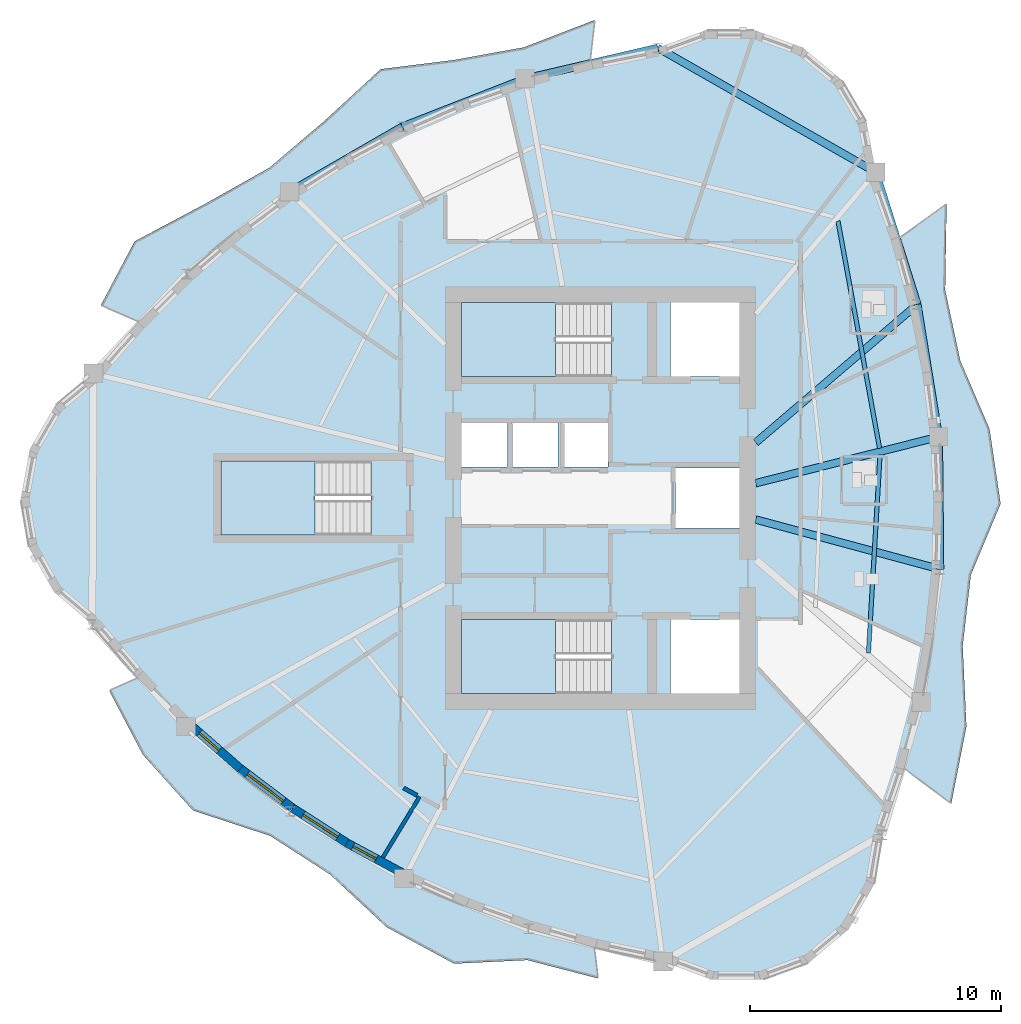
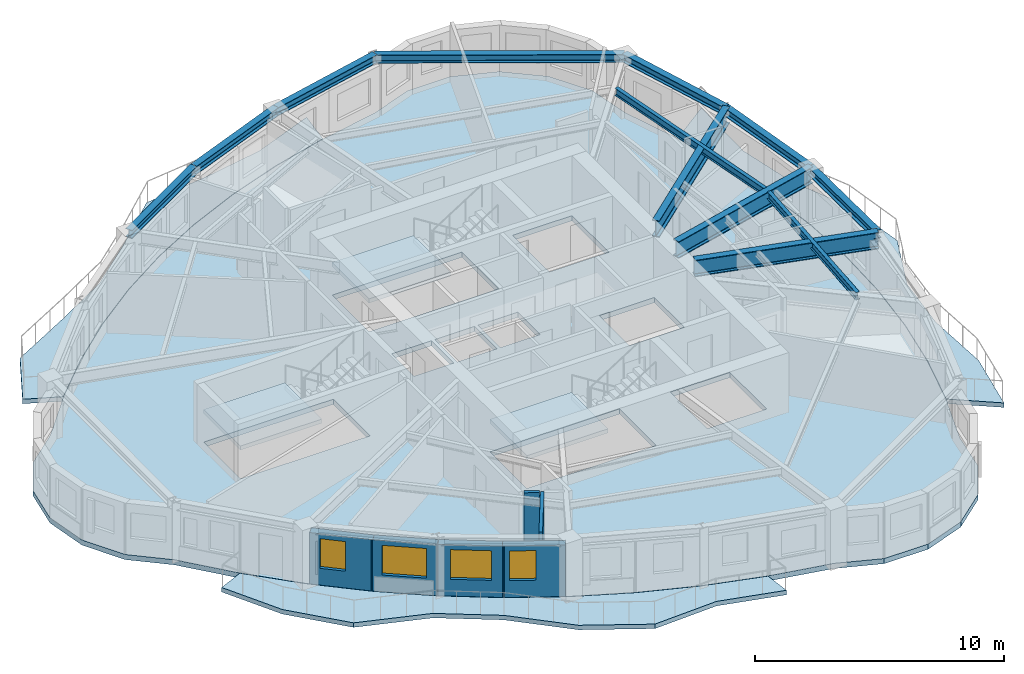
# One storey, part 2 of 12: 12 beams, 7 slabs, 6 walls, 4 windows, 4 openings, 3 elements without a shape of their own.
"""IFC4 building model written with IfcOpenShell, lengths in metres."""

from ifc_helpers import new_model, si_unit, direction, frame, frame_2d, origin, origin_2d, place, context, subcontext, project, spatial, polyline, rectangle, i_section, outline, extrude, source, transform, mapped, material, layer, layer_set, material_profile, profile_set, type_object, element, fill, aggregate, save


model = new_model("IFC4")

# Units and contexts
model_context = context("Model", 3, precision=1e-05, world=origin(), true_north=direction((0.0, 1.0)))
body_context = subcontext(model_context, "Body", "Model", "MODEL_VIEW")
ifc_project = project(units=[si_unit("LENGTHUNIT", "METRE"), si_unit("AREAUNIT", "SQUARE_METRE"), si_unit("VOLUMEUNIT", "CUBIC_METRE"), si_unit("PLANEANGLEUNIT", "RADIAN"), si_unit("MASSUNIT", "GRAM", prefix="KILO")], contexts=[model_context])

# Site, building, storey
site_placement = place(None, origin())
site = spatial("IfcSite", under=ifc_project, at=site_placement, CompositionType="ELEMENT")
building_placement = place(site_placement, origin())
building = spatial("IfcBuilding", under=site, at=building_placement, Name="Qafzar Sky-Pleat Residences", CompositionType="ELEMENT")
storey_placement = place(building_placement, frame((0.0, 0.0, 149.0)))
storey = spatial("IfcBuildingStorey", under=building, at=storey_placement, Name="L44", CompositionType="ELEMENT", Elevation=149.0)

# Beams
ifc_material_1 = material(Name="Steel S355", Category="steel")
ifc_material_profile_1 = material_profile(ifc_material_1, i_section(OverallWidth=0.300048828125, OverallDepth=0.39990234375, WebThickness=0.013427734375, FlangeThickness=0.02392578125, FilletRadius=0.027099609375, at=origin_2d()), Name="HEB 400")
ifc_profile_set_1 = profile_set([ifc_material_profile_1], Name="Steel S355")
beam_type_1 = type_object("IfcBeamType", Name="BM-SPAN-HEB400", PredefinedType="SPANDREL", material=ifc_profile_set_1)
shared_shape_1 = source(origin(), body_context, "Body", "SweptSolid", [
    extrude(i_section(OverallWidth=0.300048828125, OverallDepth=0.39990234375, WebThickness=0.013427734375, FlangeThickness=0.02392578125, FilletRadius=0.027099609375, at=origin_2d()), origin(), (0.0, 0.0, 1.0), 10.017822265625),
])
beam_1_placement = place(storey_placement, frame((41.33837890625, 39.002197265625, 2.73291015625), z_axis=(-0.868424551826, 0.495821336558, 0.0), x_axis=(-0.495821336558, -0.868424551826, 0.0)))
element("IfcBeam", 1, at=beam_1_placement, inside=storey, type_object=beam_type_1, Name="L44 Perimeter Spandrel Beam 13", PredefinedType="SPANDREL", context=body_context, shape_type="MappedRepresentation", body=[
    mapped(shared_shape_1, transform((0.0, 0.0, 0.0), x_axis=(1.0, 0.0, 0.0), y_axis=(0.0, 1.0, 0.0), z_axis=(0.0, 0.0, 1.0), scale=1.0)),
])
shared_shape_2 = source(origin(), body_context, "Body", "SweptSolid", [
    extrude(i_section(OverallWidth=0.300048828125, OverallDepth=0.39990234375, WebThickness=0.013427734375, FlangeThickness=0.02392578125, FilletRadius=0.027099609375, at=origin_2d()), origin(), (0.0, 0.0, 1.0), 5.5283203125),
])
beam_2_placement = place(storey_placement, frame((42.997314453125, 33.728759765625, 2.73291015625), z_axis=(-0.300084966568, 0.953912476509, 0.0), x_axis=(-0.953912476509, -0.300084966568, 0.0)))
element("IfcBeam", 2, at=beam_2_placement, inside=storey, type_object=beam_type_1, Name="L44 Perimeter Spandrel Beam 12", PredefinedType="SPANDREL", context=body_context, shape_type="MappedRepresentation", body=[
    mapped(shared_shape_2, transform((0.0, 0.0, 0.0), x_axis=(1.0, 0.0, 0.0), y_axis=(0.0, 1.0, 0.0), z_axis=(0.0, 0.0, 1.0), scale=1.0)),
])
shared_shape_3 = source(origin(), body_context, "Body", "SweptSolid", [
    extrude(i_section(OverallWidth=0.300048828125, OverallDepth=0.39990234375, WebThickness=0.013427734375, FlangeThickness=0.02392578125, FilletRadius=0.027099609375, at=origin_2d()), origin(), (0.0, 0.0, 1.0), 5.289306640625),
])
beam_3_placement = place(storey_placement, frame((43.9033203125, 23.158203125, 2.73291015625), z_axis=(-0.009646892298, 0.999953467652, 0.0), x_axis=(-0.999953467652, -0.009646892298, 0.0)))
element("IfcBeam", 3, at=beam_3_placement, inside=storey, type_object=beam_type_1, Name="L44 Perimeter Spandrel Beam 10", PredefinedType="SPANDREL", context=body_context, shape_type="MappedRepresentation", body=[
    mapped(shared_shape_3, transform((0.0, 0.0, 0.0), x_axis=(1.0, 0.0, 0.0), y_axis=(0.0, 1.0, 0.0), z_axis=(0.0, 0.0, 1.0), scale=1.0)),
])
shared_shape_4 = source(origin(), body_context, "Body", "SweptSolid", [
    extrude(i_section(OverallWidth=0.300048828125, OverallDepth=0.39990234375, WebThickness=0.013427734375, FlangeThickness=0.02392578125, FilletRadius=0.027099609375, at=origin_2d()), origin(), (0.0, 0.0, 1.0), 5.350341796875),
])
beam_4_placement = place(storey_placement, frame((43.852294921875, 28.447265625, 2.73291015625), z_axis=(-0.159801974691, 0.987149091518, 0.0), x_axis=(-0.987149091518, -0.159801974691, 0.0)))
element("IfcBeam", 4, at=beam_4_placement, inside=storey, type_object=beam_type_1, Name="L44 Perimeter Spandrel Beam 11", PredefinedType="SPANDREL", context=body_context, shape_type="MappedRepresentation", body=[
    mapped(shared_shape_4, transform((0.0, 0.0, 0.0), x_axis=(1.0, 0.0, 0.0), y_axis=(0.0, 1.0, 0.0), z_axis=(0.0, 0.0, 1.0), scale=1.0)),
])
shared_shape_5 = source(origin(), body_context, "Body", "SweptSolid", [
    extrude(i_section(OverallWidth=0.300048828125, OverallDepth=0.39990234375, WebThickness=0.013427734375, FlangeThickness=0.02392578125, FilletRadius=0.027099609375, at=origin_2d()), origin(), (0.0, 0.0, 1.0), 5.435791015625),
])
beam_5_placement = place(storey_placement, frame((32.638671875, 43.96923828125, 2.73291015625), z_axis=(-0.974010561903, -0.22650259447, 0.0), x_axis=(0.22650259447, -0.974010561903, 0.0)))
element("IfcBeam", 5, at=beam_5_placement, inside=storey, type_object=beam_type_1, Name="L44 Perimeter Spandrel Beam 14", PredefinedType="SPANDREL", context=body_context, shape_type="MappedRepresentation", body=[
    mapped(shared_shape_5, transform((0.0, 0.0, 0.0), x_axis=(1.0, 0.0, 0.0), y_axis=(0.0, 1.0, 0.0), z_axis=(0.0, 0.0, 1.0), scale=1.0)),
])
shared_shape_6 = source(origin(), body_context, "Body", "SweptSolid", [
    extrude(i_section(OverallWidth=0.300048828125, OverallDepth=0.39990234375, WebThickness=0.013427734375, FlangeThickness=0.02392578125, FilletRadius=0.027099609375, at=origin_2d()), origin(), (0.0, 0.0, 1.0), 5.260498046875),
])
beam_6_placement = place(storey_placement, frame((27.34423828125, 42.738037109375, 2.73291015625), z_axis=(-0.931326294743, -0.364185849148, 0.0), x_axis=(0.364185849148, -0.931326294743, 0.0)))
element("IfcBeam", 6, at=beam_6_placement, inside=storey, type_object=beam_type_1, Name="L44 Perimeter Spandrel Beam 15", PredefinedType="SPANDREL", context=body_context, shape_type="MappedRepresentation", body=[
    mapped(shared_shape_6, transform((0.0, 0.0, 0.0), x_axis=(1.0, 0.0, 0.0), y_axis=(0.0, 1.0, 0.0), z_axis=(0.0, 0.0, 1.0), scale=1.0)),
])
shared_shape_7 = source(origin(), body_context, "Body", "SweptSolid", [
    extrude(i_section(OverallWidth=0.300048828125, OverallDepth=0.39990234375, WebThickness=0.013427734375, FlangeThickness=0.02392578125, FilletRadius=0.027099609375, at=origin_2d()), origin(), (0.0, 0.0, 1.0), 5.200927734375),
])
beam_7_placement = place(storey_placement, frame((22.445068359375, 40.822265625, 2.73291015625), z_axis=(-0.866036280653, -0.499981160238, 0.0), x_axis=(0.499981160238, -0.866036280653, 0.0)))
element("IfcBeam", 7, at=beam_7_placement, inside=storey, type_object=beam_type_1, Name="L44 Perimeter Spandrel Beam 16", PredefinedType="SPANDREL", context=body_context, shape_type="MappedRepresentation", body=[
    mapped(shared_shape_7, transform((0.0, 0.0, 0.0), x_axis=(1.0, 0.0, 0.0), y_axis=(0.0, 1.0, 0.0), z_axis=(0.0, 0.0, 1.0), scale=1.0)),
])
ifc_material_2 = material(Name="Steel S460", Category="steel")
ifc_material_profile_2 = material_profile(ifc_material_2, i_section(OverallWidth=0.300048828125, OverallDepth=0.800048828125, WebThickness=0.017578125, FlangeThickness=0.032958984375, FilletRadius=0.030029296875, at=origin_2d()), Name="HEB 800")
ifc_profile_set_2 = profile_set([ifc_material_profile_2], Name="Steel S460")
beam_type_2 = type_object("IfcBeamType", Name="BM-CHORD-HEB800", PredefinedType="BEAM", material=ifc_profile_set_2)
shared_shape_8 = source(origin(), body_context, "Body", "SweptSolid", [
    extrude(i_section(OverallWidth=0.300048828125, OverallDepth=0.800048828125, WebThickness=0.017578125, FlangeThickness=0.032958984375, FilletRadius=0.030029296875, at=origin_2d()), origin(), (0.0, 0.0, 1.0), 7.616455078125),
])
beam_8_placement = place(storey_placement, frame((43.9033203125, 23.158203125, 2.532958984375), z_axis=(-0.965430131195, 0.260661968421, 0.0), x_axis=(-0.260661968421, -0.965430131195, 0.0)))
element("IfcBeam", 8, at=beam_8_placement, inside=storey, type_object=beam_type_2, Name="L45 Setback Transfer Girder 10", PredefinedType="BEAM", context=body_context, shape_type="MappedRepresentation", body=[
    mapped(shared_shape_8, transform((0.0, 0.0, 0.0), x_axis=(1.0, 0.0, 0.0), y_axis=(0.0, 1.0, 0.0), z_axis=(0.0, 0.0, 1.0), scale=1.0)),
])
shared_shape_9 = source(origin(), body_context, "Body", "SweptSolid", [
    extrude(i_section(OverallWidth=0.300048828125, OverallDepth=0.800048828125, WebThickness=0.017578125, FlangeThickness=0.032958984375, FilletRadius=0.030029296875, at=origin_2d()), origin(), (0.0, 0.0, 1.0), 7.534423828125),
])
beam_9_placement = place(storey_placement, frame((43.852294921875, 28.447265625, 2.532958984375), z_axis=(-0.969193576408, -0.246300246549, 0.0), x_axis=(0.246300246549, -0.969193576408, 0.0)))
element("IfcBeam", 9, at=beam_9_placement, inside=storey, type_object=beam_type_2, Name="L45 Setback Transfer Girder 11", PredefinedType="BEAM", context=body_context, shape_type="MappedRepresentation", body=[
    mapped(shared_shape_9, transform((0.0, 0.0, 0.0), x_axis=(1.0, 0.0, 0.0), y_axis=(0.0, 1.0, 0.0), z_axis=(0.0, 0.0, 1.0), scale=1.0)),
])
shared_shape_10 = source(origin(), body_context, "Body", "SweptSolid", [
    extrude(i_section(OverallWidth=0.300048828125, OverallDepth=0.800048828125, WebThickness=0.017578125, FlangeThickness=0.032958984375, FilletRadius=0.030029296875, at=origin_2d()), origin(), (0.0, 0.0, 1.0), 8.484375),
])
beam_10_placement = place(storey_placement, frame((42.997314453125, 33.728759765625, 2.532958984375), z_axis=(-0.759902152671, -0.650037474585, 0.0), x_axis=(0.650037474585, -0.759902152671, 0.0)))
element("IfcBeam", 10, at=beam_10_placement, inside=storey, type_object=beam_type_2, Name="L45 Setback Transfer Girder 12", PredefinedType="BEAM", context=body_context, shape_type="MappedRepresentation", body=[
    mapped(shared_shape_10, transform((0.0, 0.0, 0.0), x_axis=(1.0, 0.0, 0.0), y_axis=(0.0, 1.0, 0.0), z_axis=(0.0, 0.0, 1.0), scale=1.0)),
])
ifc_material_profile_3 = material_profile(ifc_material_1, i_section(OverallWidth=0.169921875, OverallDepth=0.360107421875, WebThickness=0.008056640625, FlangeThickness=0.0126953125, FilletRadius=0.01806640625, at=origin_2d()), Name="IPE 360")
ifc_profile_set_3 = profile_set([ifc_material_profile_3], Name="Steel S355")
beam_type_3 = type_object("IfcBeamType", Name="BM-JST-IPE360", PredefinedType="JOIST", material=ifc_profile_set_3)
shared_shape_11 = source(origin(), body_context, "Body", "SweptSolid", [
    extrude(i_section(OverallWidth=0.169921875, OverallDepth=0.360107421875, WebThickness=0.008056640625, FlangeThickness=0.0126953125, FilletRadius=0.01806640625, at=origin_2d()), origin(), (0.0, 0.0, 1.0), 7.913818359375),
])
beam_11_placement = place(storey_placement, frame((41.046142578125, 19.818359375, 2.7529296875), z_axis=(0.05830607677, 0.998298753586, 0.0), x_axis=(-0.998298753586, 0.05830607677, 0.0)))
element("IfcBeam", 11, at=beam_11_placement, inside=storey, type_object=beam_type_3, Name="L44 Outer Secondary Floor Joist 5", PredefinedType="JOIST", context=body_context, shape_type="MappedRepresentation", body=[
    mapped(shared_shape_11, transform((0.0, 0.0, 0.0), x_axis=(1.0, 0.0, 0.0), y_axis=(0.0, 1.0, 0.0), z_axis=(0.0, 0.0, 1.0), scale=1.0)),
])
shared_shape_12 = source(origin(), body_context, "Body", "SweptSolid", [
    extrude(i_section(OverallWidth=0.169921875, OverallDepth=0.360107421875, WebThickness=0.008056640625, FlangeThickness=0.0126953125, FilletRadius=0.01806640625, at=origin_2d()), origin(), (0.0, 0.0, 1.0), 9.22119140625),
])
beam_12_placement = place(storey_placement, frame((41.4912109375, 27.986083984375, 2.7529296875), z_axis=(-0.180117819477, 0.983645043248, 0.0), x_axis=(-0.983645043248, -0.180117819477, 0.0)))
element("IfcBeam", 12, at=beam_12_placement, inside=storey, type_object=beam_type_3, Name="L44 Outer Secondary Floor Joist 6", PredefinedType="JOIST", context=body_context, shape_type="MappedRepresentation", body=[
    mapped(shared_shape_12, transform((0.0, 0.0, 0.0), x_axis=(1.0, 0.0, 0.0), y_axis=(0.0, 1.0, 0.0), z_axis=(0.0, 0.0, 1.0), scale=1.0)),
])

# Slabs
ifc_material_3 = material(Name="Concrete C40/50", Category="concrete")
ifc_layer_1 = layer(ifc_material_3, 0.219970703125)
ifc_layer_set_1 = layer_set([ifc_layer_1], Name="Concrete C40/50")
slab_type_1 = type_object("IfcSlabType", Name="SLAB-BAL-220", PredefinedType="USERDEFINED", material=ifc_layer_set_1)
slab_1_placement = place(storey_placement, frame((0.0, 0.0, -0.219970703125)))
element("IfcSlab", 13, at=slab_1_placement, inside=storey, type_object=slab_type_1, Name="L44 Pleated Stone Balcony 1", ObjectType="BALCONY", PredefinedType="USERDEFINED", context=body_context, shape_type="SweptSolid", body=[
    extrude(outline(polyline([(43.160888671875, 17.855712890625), (43.638427734375, 20.5068359375), (43.9150390625, 23.15625), (43.990234375, 25.8037109375), (43.864013671875, 28.44921875), (43.53662109375, 31.0927734375), (43.0078125, 33.734130859375), (42.278076171875, 36.37353515625), (44.163818359375, 37.743408203125), (44.1083984375, 34.30126953125), (44.712890625, 31.478515625), (45.878173828125, 28.760009765625), (46.32080078125, 25.77490234375), (45.1337890625, 22.9384765625), (44.806640625, 20.096435546875), (44.956298828125, 16.891357421875), (44.3505859375, 13.809814453125), (42.48193359375, 15.202880859375), (43.160888671875, 17.855712890625)])), origin(), (0.0, 0.0, 1.0), 0.219970703125),
])
slab_2_placement = place(storey_placement, frame((0.0, 0.0, -0.219970703125)))
element("IfcSlab", 14, at=slab_2_placement, inside=storey, type_object=slab_type_1, Name="L44 Pleated Stone Balcony 2", ObjectType="BALCONY", PredefinedType="USERDEFINED", context=body_context, shape_type="SweptSolid", body=[
    extrude(outline(polyline([(27.34375, 42.75), (24.8427734375, 41.877685546875), (22.44091796875, 40.83349609375), (20.1376953125, 39.6181640625), (17.933349609375, 38.231201171875), (15.828369140625, 36.673095703125), (13.822265625, 34.943359375), (11.915283203125, 33.04248046875), (10.414794921875, 33.69970703125), (11.760009765625, 36.244140625), (14.5966796875, 37.7529296875), (17.146728515625, 39.187255859375), (19.318603515625, 41.03662109375), (21.585205078125, 43.116455078125), (24.523193359375, 43.484130859375), (27.29541015625, 43.987060546875), (30.12451171875, 45.0791015625), (29.943359375, 43.451171875), (27.34375, 42.75)])), origin(), (0.0, 0.0, 1.0), 0.219970703125),
])
slab_3_placement = place(storey_placement, frame((0.0, 0.0, -0.219970703125)))
element("IfcSlab", 15, at=slab_3_placement, inside=storey, type_object=slab_type_1, Name="L44 Pleated Stone Balcony 3", ObjectType="BALCONY", PredefinedType="USERDEFINED", context=body_context, shape_type="SweptSolid", body=[
    extrude(outline(polyline([(13.798095703125, 16.869873046875), (15.8212890625, 15.09130859375), (17.947021484375, 13.48583984375), (20.1748046875, 12.053955078125), (22.50537109375, 10.79541015625), (24.93798828125, 9.710205078125), (27.47265625, 8.798095703125), (30.109619140625, 8.059814453125), (30.254150390625, 6.830322265625), (27.434814453125, 7.560791015625), (24.50732421875, 7.41943359375), (21.812744140625, 8.878662109375), (19.569091796875, 10.974365234375), (17.17138671875, 12.520751953125), (14.085205078125, 13.5361328125), (12.083740234375, 15.767822265625), (10.746337890625, 18.318115234375), (11.877197265625, 18.821533203125), (13.798095703125, 16.869873046875)])), origin(), (0.0, 0.0, 1.0), 0.219970703125),
])
ifc_layer_2 = layer(ifc_material_3, 0.25)
ifc_layer_set_2 = layer_set([ifc_layer_2], Name="Concrete C40/50")
slab_type_2 = type_object("IfcSlabType", Name="SLAB-FLR-250", PredefinedType="FLOOR", material=ifc_layer_set_2)
slab_4_placement = place(storey_placement, frame((0.0, 0.0, -0.25)))
element("IfcSlab", 16, at=slab_4_placement, inside=storey, type_object=slab_type_2, Name="L44 Structural Floor Slab", PredefinedType="FLOOR", context=body_context, shape_type="SweptSolid", body=[
    extrude(outline(polyline([(10.118896484375, 30.967529296875), (8.581787109375, 29.6796875), (7.5751953125, 27.94580078125), (7.218994140625, 25.972412109375), (7.555908203125, 23.995849609375), (8.5458984375, 22.252197265625), (10.070556640625, 20.94970703125), (11.88818359375, 18.826416015625), (13.80810546875, 16.87646484375), (15.830078125, 15.099365234375), (17.954345703125, 13.495361328125), (20.180908203125, 12.064453125), (22.509521484375, 10.806640625), (24.940185546875, 9.721923828125), (27.472900390625, 8.810302734375), (30.108154296875, 8.07177734375), (32.845458984375, 7.506103515625), (34.749755859375, 6.795654296875), (36.782470703125, 6.785888671875), (38.693603515625, 7.47802734375), (40.248779296875, 8.787109375), (41.256591796875, 10.55224609375), (41.593505859375, 12.556884765625), (42.472412109375, 15.210205078125), (43.150390625, 17.861572265625), (43.627197265625, 20.5107421875), (43.9033203125, 23.158203125), (43.978271484375, 25.8037109375), (43.852294921875, 28.447265625), (43.525146484375, 31.089111328125), (42.997314453125, 33.728759765625), (42.268310546875, 36.366455078125), (41.33837890625, 39.002197265625), (40.97265625, 40.9736328125), (39.95751953125, 42.702880859375), (38.414306640625, 43.983154296875), (36.52734375, 44.661376953125), (34.522216796875, 44.656494140625), (32.638671875, 43.96923828125), (29.94189453125, 43.439208984375), (27.34423828125, 42.738037109375), (24.84521484375, 41.86572265625), (22.445068359375, 40.822265625), (20.1435546875, 39.607666015625), (17.94091796875, 38.221923828125), (15.83740234375, 36.6650390625), (13.832275390625, 34.93701171875), (11.92626953125, 33.037841796875), (10.118896484375, 30.967529296875)]), holes=[polyline([(30.797119140625, 21.14990234375), (24.800048828125, 21.14990234375), (24.800048828125, 18.199951171875), (30.797119140625, 18.199951171875), (30.797119140625, 21.14990234375)]), polyline([(30.797119140625, 33.800048828125), (24.800048828125, 33.800048828125), (24.800048828125, 30.85009765625), (30.797119140625, 30.85009765625), (30.797119140625, 33.800048828125)]), polyline([(21.197021484375, 27.47509765625), (15.199951171875, 27.47509765625), (15.199951171875, 24.52490234375), (21.197021484375, 24.52490234375), (21.197021484375, 27.47509765625)]), polyline([(24.800048828125, 27.25), (26.64990234375, 27.25), (26.64990234375, 29.050048828125), (24.800048828125, 29.050048828125), (24.800048828125, 27.25)]), polyline([(26.800048828125, 27.25), (28.64990234375, 27.25), (28.64990234375, 29.050048828125), (26.800048828125, 29.050048828125), (26.800048828125, 27.25)]), polyline([(28.800048828125, 27.25), (30.64990234375, 27.25), (30.64990234375, 29.050048828125), (28.800048828125, 29.050048828125), (28.800048828125, 27.25)]), polyline([(33.14990234375, 18.199951171875), (35.89990234375, 18.199951171875), (35.89990234375, 21.14990234375), (33.14990234375, 21.14990234375), (33.14990234375, 18.199951171875)]), polyline([(33.14990234375, 30.85009765625), (35.89990234375, 30.85009765625), (35.89990234375, 33.800048828125), (33.14990234375, 33.800048828125), (33.14990234375, 30.85009765625)]), polyline([(33.35009765625, 24.800048828125), (35.89990234375, 24.800048828125), (35.89990234375, 27.199951171875), (33.35009765625, 27.199951171875), (33.35009765625, 24.800048828125)])]), origin(), (0.0, 0.0, 1.0), 0.25),
])

# Stair, slab
stair_type = type_object("IfcStairType", Name="STAIR-H320", PredefinedType="HALF_TURN_STAIR", material=ifc_material_3)
stair_1_placement = place(storey_placement, origin())
stair_1 = element("IfcStair", 17, at=stair_1_placement, inside=storey, type_object=stair_type, Name="L44 Protected Exit Stair ST1", PredefinedType="HALF_TURN_STAIR")
ifc_layer_3 = layer(ifc_material_3, 0.199951171875)
ifc_layer_set_3 = layer_set([ifc_layer_3], Name="Concrete C40/50")
slab_type_3 = type_object("IfcSlabType", Name="SLAB-LANDING-200", PredefinedType="LANDING", material=ifc_layer_set_3)
slab_5_placement = place(storey_placement, frame((0.0, 0.0, 1.39990234375)))
slab_5 = element("IfcSlab", 18, at=slab_5_placement, type_object=slab_type_3, Name="ST1 landing 1", PredefinedType="LANDING", context=body_context, shape_type="SweptSolid", body=[
    extrude(outline(polyline([(28.56005859375, 21.14990234375), (24.800048828125, 21.14990234375), (24.800048828125, 18.199951171875), (28.56005859375, 18.199951171875), (28.56005859375, 21.14990234375)])), origin(), (0.0, 0.0, 1.0), 0.2001953125),
])
aggregate(stair_1, [slab_5])

stair_2_placement = place(storey_placement, origin())
stair_2 = element("IfcStair", 19, at=stair_2_placement, inside=storey, type_object=stair_type, Name="L44 Protected Exit Stair ST2", PredefinedType="HALF_TURN_STAIR")
slab_6_placement = place(storey_placement, frame((0.0, 0.0, 1.39990234375)))
slab_6 = element("IfcSlab", 20, at=slab_6_placement, type_object=slab_type_3, Name="ST2 landing 1", PredefinedType="LANDING", context=body_context, shape_type="SweptSolid", body=[
    extrude(outline(polyline([(28.56005859375, 33.800048828125), (24.800048828125, 33.800048828125), (24.800048828125, 30.85009765625), (28.56005859375, 30.85009765625), (28.56005859375, 33.800048828125)])), origin(), (0.0, 0.0, 1.0), 0.2001953125),
])
aggregate(stair_2, [slab_6])

stair_3_placement = place(storey_placement, origin())
stair_3 = element("IfcStair", 21, at=stair_3_placement, inside=storey, type_object=stair_type, Name="L44 Protected Exit Stair ST3", PredefinedType="HALF_TURN_STAIR")
slab_7_placement = place(storey_placement, frame((0.0, 0.0, 1.39990234375)))
slab_7 = element("IfcSlab", 22, at=slab_7_placement, type_object=slab_type_3, Name="ST3 landing 1", PredefinedType="LANDING", context=body_context, shape_type="SweptSolid", body=[
    extrude(outline(polyline([(18.9599609375, 27.47509765625), (15.199951171875, 27.47509765625), (15.199951171875, 24.52490234375), (18.9599609375, 24.52490234375), (18.9599609375, 27.47509765625)])), origin(), (0.0, 0.0, 1.0), 0.2001953125),
])
aggregate(stair_3, [slab_7])

# Walls
ifc_material_4 = material(Name="Acoustic gypsum plasterboard partition", Category="gypsum")
ifc_layer_4 = layer(ifc_material_4, 0.159912109375)
ifc_layer_set_4 = layer_set([ifc_layer_4], Name="Acoustic gypsum plasterboard partition")
wall_type_1 = type_object("IfcWallType", Name="PART-COR-160", PredefinedType="PARTITIONING", material=ifc_layer_set_4)
wall_1_placement = place(storey_placement, frame((22.4951171875, 14.428466796875, 0.0), z_axis=(0.0, 0.0, 1.0), x_axis=(0.880048601236, -0.474883627285, 0.0)))
element("IfcWall", 23, at=wall_1_placement, inside=storey, type_object=wall_type_1, Name="L44 Partition Wall PART-L44-PW-041", PredefinedType="PARTITIONING", context=body_context, shape_type="SweptSolid", body=[
    extrude(rectangle(XDim=0.61279296875, YDim=0.159912109375, at=frame_2d((0.306396484375, 0.0))), origin(), (0.0, 0.0, 1.0), 2.93505859375),
])
ifc_layer_5 = layer(ifc_material_4, 0.14501953125)
ifc_layer_set_5 = layer_set([ifc_layer_5], Name="Acoustic gypsum plasterboard partition")
wall_type_2 = type_object("IfcWallType", Name="PART-UNIT-145", PredefinedType="PARTITIONING", material=ifc_layer_set_5)
wall_2_placement = place(storey_placement, frame((21.668212890625, 11.660400390625, 0.0), z_axis=(0.0, 0.0, 1.0), x_axis=(0.517927198926, 0.855424699557, 0.0)))
element("IfcWall", 24, at=wall_2_placement, inside=storey, type_object=wall_type_2, Name="L44 Partition Wall PART-L44-PW-026", PredefinedType="PARTITIONING", context=body_context, shape_type="SweptSolid", body=[
    extrude(rectangle(XDim=2.83203125, YDim=0.14501953125, at=frame_2d((1.416015625, 0.0))), origin(), (0.0, 0.0, 1.0), 2.93505859375),
])

# Wall, opening, window
ifc_material_5 = material(Name="Precast concrete C40/50 with honed Riyadh limestone", Category="concrete")
ifc_layer_6 = layer(ifc_material_5, 0.340087890625)
ifc_layer_set_6 = layer_set([ifc_layer_6], Name="Precast concrete C40/50 with honed Riyadh limestone")
wall_type_3 = type_object("IfcWallType", Name="WALL-EXT-340", PredefinedType="SOLIDWALL", material=ifc_layer_set_6)
wall_3_placement = place(storey_placement, frame((14.036865234375, 16.90185546875, 0.0), z_axis=(0.0, 0.0, 1.0), x_axis=(0.751106484969, -0.66018107231, 0.0)))
wall_3 = element("IfcWall", 25, at=wall_3_placement, inside=storey, type_object=wall_type_3, Name="L44 Limestone Facade Wall 9", PredefinedType="SOLIDWALL", context=body_context, shape_type="SweptSolid", body=[
    extrude(rectangle(XDim=2.574951171875, YDim=0.340087890625, at=frame_2d((1.28759765625, 0.0))), origin(), (0.0, 0.0, 1.0), 2.514892578125),
])
opening_1_placement = place(wall_3_placement, frame((0.416259765625, 0.0, 0.820068359375)))
opening_1 = element("IfcOpeningElement", 26, at=opening_1_placement, cuts=wall_3, Name="Opening WN-06", PredefinedType="OPENING", context=body_context, shape_type="SweptSolid", body=[
    extrude(rectangle(XDim=1.050048828125, YDim=1.449951171875, at=frame_2d((0.52490234375, 0.72509765625))), frame((0.0, 0.18017578125, 0.0), z_axis=(0.0, -1.0, 0.0), x_axis=(1.0, 0.0, 0.0)), (0.0, 0.0, 1.0), 0.360107421875),
])
ifc_material_6 = material(Name="Solar-control low-E glass in bronze aluminium frame", Category="glass")
window_type_1 = type_object("IfcWindowType", Name="WIN-06", PartitioningType="SINGLE_PANEL", PredefinedType="WINDOW", material=ifc_material_6)
shared_shape_13 = source(origin(), body_context, "Body", "SweptSolid", [
    extrude(rectangle(XDim=1.050048828125, YDim=1.449951171875, at=frame_2d((0.52490234375, 0.72509765625))), frame((0.0, 0.030029296875, 0.0), z_axis=(0.0, -1.0, 0.0), x_axis=(1.0, 0.0, 0.0)), (0.0, 0.0, 1.0), 0.06005859375),
])
window_1_placement = place(opening_1_placement, origin())
window_1 = element("IfcWindow", 27, at=window_1_placement, inside=storey, type_object=window_type_1, Name="L44 Punched Facade Window 09", OverallHeight=1.449951171875, OverallWidth=1.050048828125, PartitioningType="SINGLE_PANEL", PredefinedType="WINDOW", context=body_context, shape_type="MappedRepresentation", body=[
    mapped(shared_shape_13, transform((0.0, 0.0, 0.0), x_axis=(1.0, 0.0, 0.0), y_axis=(0.0, 1.0, 0.0), z_axis=(0.0, 0.0, 1.0), scale=1.0)),
])
fill(opening_1, window_1)

wall_4_placement = place(storey_placement, frame((15.90234375, 15.2578125, 0.0), z_axis=(0.0, 0.0, 1.0), x_axis=(0.798071768164, -0.60256240578, 0.0)))
wall_4 = element("IfcWall", 28, at=wall_4_placement, inside=storey, type_object=wall_type_3, Name="L44 Limestone Facade Wall 10", PredefinedType="SOLIDWALL", context=body_context, shape_type="SweptSolid", body=[
    extrude(rectangle(XDim=2.6796875, YDim=0.340087890625, at=frame_2d((1.33984375, 0.0))), origin(), (0.0, 0.0, 1.0), 2.514892578125),
])
opening_2_placement = place(wall_4_placement, frame((0.449951171875, 0.0, 0.820068359375)))
opening_2 = element("IfcOpeningElement", 29, at=opening_2_placement, cuts=wall_4, Name="Opening WN-01", PredefinedType="OPENING", context=body_context, shape_type="SweptSolid", body=[
    extrude(rectangle(XDim=1.800048828125, YDim=1.449951171875, at=frame_2d((0.89990234375, 0.72509765625))), frame((0.0, 0.18017578125, 0.0), z_axis=(0.0, -1.0, 0.0), x_axis=(1.0, 0.0, 0.0)), (0.0, 0.0, 1.0), 0.360107421875),
])
window_type_2 = type_object("IfcWindowType", Name="WIN-01", PartitioningType="DOUBLE_PANEL_VERTICAL", PredefinedType="WINDOW", material=ifc_material_6)
shared_shape_14 = source(origin(), body_context, "Body", "SweptSolid", [
    extrude(rectangle(XDim=1.800048828125, YDim=1.449951171875, at=frame_2d((0.89990234375, 0.72509765625))), frame((0.0, 0.030029296875, 0.0), z_axis=(0.0, -1.0, 0.0), x_axis=(1.0, 0.0, 0.0)), (0.0, 0.0, 1.0), 0.06005859375),
])
window_2_placement = place(opening_2_placement, origin())
window_2 = element("IfcWindow", 30, at=window_2_placement, inside=storey, type_object=window_type_2, Name="L44 Punched Facade Window 10", OverallHeight=1.449951171875, OverallWidth=1.800048828125, PartitioningType="SINGLE_PANEL", PredefinedType="WINDOW", context=body_context, shape_type="MappedRepresentation", body=[
    mapped(shared_shape_14, transform((0.0, 0.0, 0.0), x_axis=(1.0, 0.0, 0.0), y_axis=(0.0, 1.0, 0.0), z_axis=(0.0, 0.0, 1.0), scale=1.0)),
])
fill(opening_2, window_2)

wall_5_placement = place(storey_placement, frame((18.06298828125, 13.62744140625, 0.0), z_axis=(0.0, 0.0, 1.0), x_axis=(0.841291581189, -0.540581608475, 0.0)))
wall_5 = element("IfcWall", 31, at=wall_5_placement, inside=storey, type_object=wall_type_3, Name="L44 Limestone Facade Wall 11", PredefinedType="SOLIDWALL", context=body_context, shape_type="SweptSolid", body=[
    extrude(rectangle(XDim=2.66455078125, YDim=0.340087890625, at=frame_2d((1.332275390625, 0.0))), origin(), (0.0, 0.0, 1.0), 2.514892578125),
])
opening_3_placement = place(wall_5_placement, frame((0.497314453125, 0.0, 0.820068359375)))
opening_3 = element("IfcOpeningElement", 32, at=opening_3_placement, cuts=wall_5, Name="Opening WN-02", PredefinedType="OPENING", context=body_context, shape_type="SweptSolid", body=[
    extrude(rectangle(XDim=1.64990234375, YDim=1.449951171875, at=frame_2d((0.824951171875, 0.72509765625))), frame((0.0, 0.18017578125, 0.0), z_axis=(0.0, -1.0, 0.0), x_axis=(1.0, 0.0, 0.0)), (0.0, 0.0, 1.0), 0.360107421875),
])
window_type_3 = type_object("IfcWindowType", Name="WIN-02", PartitioningType="DOUBLE_PANEL_VERTICAL", PredefinedType="WINDOW", material=ifc_material_6)
shared_shape_15 = source(origin(), body_context, "Body", "SweptSolid", [
    extrude(rectangle(XDim=1.64990234375, YDim=1.449951171875, at=frame_2d((0.824951171875, 0.72509765625))), frame((0.0, 0.030029296875, 0.0), z_axis=(0.0, -1.0, 0.0), x_axis=(1.0, 0.0, 0.0)), (0.0, 0.0, 1.0), 0.06005859375),
])
window_3_placement = place(opening_3_placement, origin())
window_3 = element("IfcWindow", 33, at=window_3_placement, inside=storey, type_object=window_type_3, Name="L44 Punched Facade Window 11", OverallHeight=1.449951171875, OverallWidth=1.64990234375, PartitioningType="SINGLE_PANEL", PredefinedType="WINDOW", context=body_context, shape_type="MappedRepresentation", body=[
    mapped(shared_shape_15, transform((0.0, 0.0, 0.0), x_axis=(1.0, 0.0, 0.0), y_axis=(0.0, 1.0, 0.0), z_axis=(0.0, 0.0, 1.0), scale=1.0)),
])
fill(opening_3, window_3)

wall_6_placement = place(storey_placement, frame((20.228271484375, 12.23193359375, 0.0), z_axis=(0.0, 0.0, 1.0), x_axis=(0.879850512407, -0.47525054005, 0.0)))
wall_6 = element("IfcWall", 34, at=wall_6_placement, inside=storey, type_object=wall_type_3, Name="L44 Limestone Facade Wall 12", PredefinedType="SOLIDWALL", context=body_context, shape_type="SweptSolid", body=[
    extrude(rectangle(XDim=2.529541015625, YDim=0.340087890625, at=frame_2d((1.2646484375, 0.0))), origin(), (0.0, 0.0, 1.0), 2.514892578125),
])
opening_4_placement = place(wall_6_placement, frame((0.28369140625, 0.0, 0.820068359375)))
opening_4 = element("IfcOpeningElement", 35, at=opening_4_placement, cuts=wall_6, Name="Opening WN-06", PredefinedType="OPENING", context=body_context, shape_type="SweptSolid", body=[
    extrude(rectangle(XDim=1.050048828125, YDim=1.449951171875, at=frame_2d((0.52490234375, 0.72509765625))), frame((0.0, 0.18017578125, 0.0), z_axis=(0.0, -1.0, 0.0), x_axis=(1.0, 0.0, 0.0)), (0.0, 0.0, 1.0), 0.360107421875),
])
window_4_placement = place(opening_4_placement, origin())
window_4 = element("IfcWindow", 36, at=window_4_placement, inside=storey, type_object=window_type_1, Name="L44 Punched Facade Window 12", OverallHeight=1.449951171875, OverallWidth=1.050048828125, PartitioningType="SINGLE_PANEL", PredefinedType="WINDOW", context=body_context, shape_type="MappedRepresentation", body=[
    mapped(shared_shape_13, transform((0.0, 0.0, 0.0), x_axis=(1.0, 0.0, 0.0), y_axis=(0.0, 1.0, 0.0), z_axis=(0.0, 0.0, 1.0), scale=1.0)),
])
fill(opening_4, window_4)

save(model, "model.ifc")
